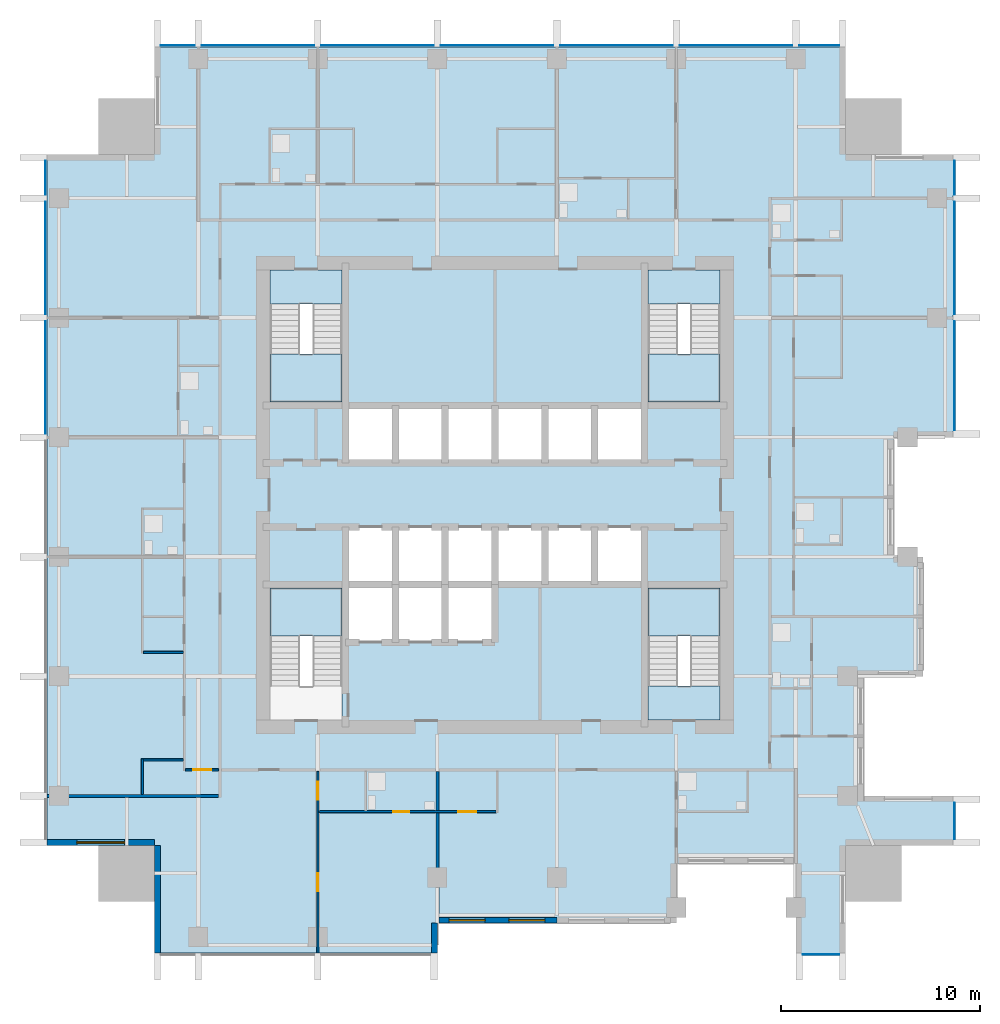
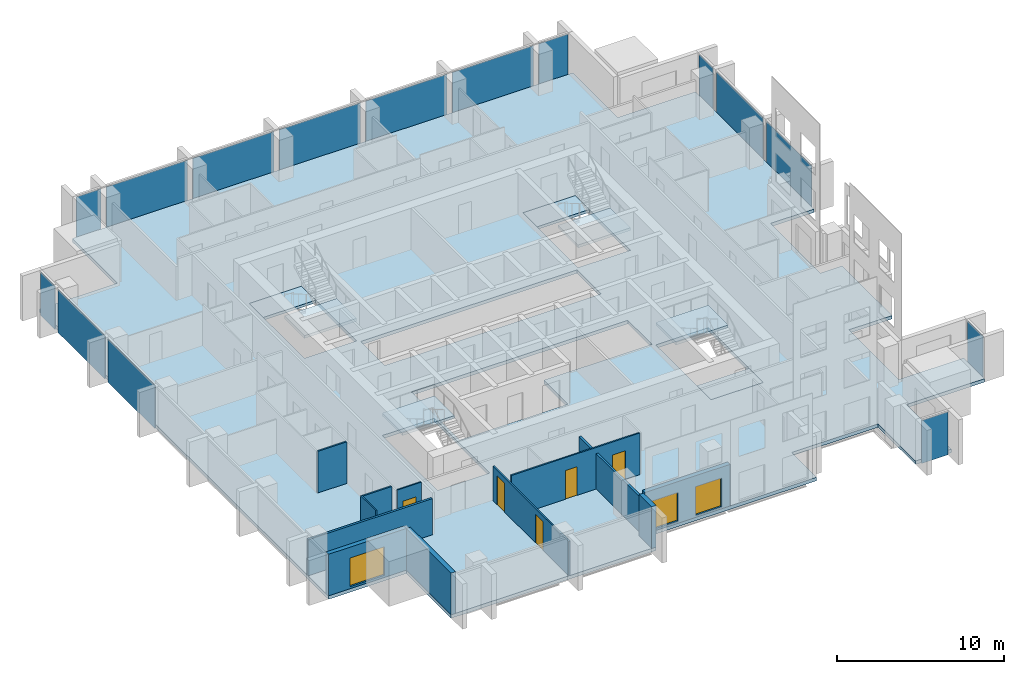
# One storey, part 3 of 11: 15 plates, 12 walls, 8 slabs, 5 doors, 3 windows, 8 openings, 9 elements without a shape of their own.
"""IFC4 building model written with IfcOpenShell, lengths in metres."""

import ifcopenshell
import ifcopenshell.guid

model = None  # the IFC model being written
_history = None  # IfcOwnerHistory: only IFC2X3 demands one
_inside = {}  # id of a spatial element -> (the spatial element, [elements in it])
_under = {}  # id of a project, library or spatial element -> (it, [spatial elements below it])
_declared = {}  # id of a project -> (the project, [libraries it declares])
_typed = {}  # id of a type object -> (the type object, [elements of that type])
_made_of = {}  # id of a material, layer set ... -> (it, [elements and type objects made of it])


def new_model(schema):
    """Start an empty IFC model of exactly this schema.

    Asked for "IFC4X3", IfcOpenShell would pick the latest addendum, in which some entities
    have other attributes; the version numbers below select the first issue.
    IFC2X3 requires an IfcOwnerHistory on every rooted entity: one is made here for all.
    """
    global model, _history
    if schema == "IFC4X3":
        model = ifcopenshell.file(schema_version=(4, 3, 0, 0))
    else:
        model = ifcopenshell.file(schema=schema)
    _inside.clear()
    _under.clear()
    _declared.clear()
    _typed.clear()
    _made_of.clear()
    _history = None
    if model.schema == "IFC2X3":
        org = make("IfcOrganization", Name="unknown")
        user = make(
            "IfcPersonAndOrganization",
            ThePerson=make("IfcPerson", FamilyName="unknown"),
            TheOrganization=org,
        )
        app = make(
            "IfcApplication",
            ApplicationDeveloper=org,
            Version="unknown",
            ApplicationFullName="unknown",
            ApplicationIdentifier="unknown",
        )
        _history = make(
            "IfcOwnerHistory",
            OwningUser=user,
            OwningApplication=app,
            ChangeAction="ADDED",
            CreationDate=0,
        )
    return model


def make(cls, **values):
    """One entity of the class cls with the attributes given. An attribute that is None is left unset."""
    return model.create_entity(
        cls, **{name: value for name, value in values.items() if value is not None}
    )


def rooted(cls, **values):
    """An entity with a GlobalId (a new one), such as an element, a storey or a relation."""
    return make(cls, GlobalId=ifcopenshell.guid.new(), OwnerHistory=_history, **values)


def si_unit(unit_type, name, prefix=None):
    """IfcSIUnit, for example si_unit("LENGTHUNIT", "METRE", prefix="MILLI")."""
    return make("IfcSIUnit", UnitType=unit_type, Prefix=prefix, Name=name)


def assignment(units):
    """IfcUnitAssignment: the units of a project."""
    return None if units is None else make("IfcUnitAssignment", Units=units)


def point(xyz):
    """IfcCartesianPoint."""
    return None if xyz is None else make("IfcCartesianPoint", Coordinates=xyz)


def direction(xyz):
    """IfcDirection."""
    return None if xyz is None else make("IfcDirection", DirectionRatios=xyz)


def frame(location, z_axis=None, x_axis=None):
    """IfcAxis2Placement3D, a coordinate frame: its origin and axes. An axis left out is left unset."""
    return make(
        "IfcAxis2Placement3D",
        Location=point(location),
        Axis=direction(z_axis),
        RefDirection=direction(x_axis),
    )


def frame_2d(location, x_axis=None):
    """IfcAxis2Placement2D, a coordinate frame in the plane: its origin and x axis."""
    return make(
        "IfcAxis2Placement2D", Location=point(location), RefDirection=direction(x_axis)
    )


def origin():
    """The frame at (0, 0, 0) with its axes left unset."""
    return frame((0.0, 0.0, 0.0))


def origin_2d():
    """The frame at (0, 0) in the plane with its x axis left unset."""
    return frame_2d((0.0, 0.0))


def place(relative_to, where):
    """IfcLocalPlacement: puts the frame where relative to a parent placement (None: the world)."""
    return make(
        "IfcLocalPlacement", PlacementRelTo=relative_to, RelativePlacement=where
    )


def context(
    kind, dimensions, precision=None, world=None, true_north=None, identifier=None
):
    """IfcGeometricRepresentationContext, for example the 3D "Model" context."""
    return make(
        "IfcGeometricRepresentationContext",
        ContextIdentifier=identifier,
        ContextType=kind,
        CoordinateSpaceDimension=dimensions,
        Precision=precision,
        WorldCoordinateSystem=world,
        TrueNorth=true_north,
    )


def subcontext(parent, identifier, kind, view, scale=None):
    """IfcGeometricRepresentationSubContext, for example "Body" below "Model"."""
    return make(
        "IfcGeometricRepresentationSubContext",
        ContextIdentifier=identifier,
        ContextType=kind,
        ParentContext=parent,
        TargetScale=scale,
        TargetView=view,
    )


def project(units=None, contexts=None):
    """IfcProject with its units and contexts."""
    return rooted(
        "IfcProject",
        Name="project",
        RepresentationContexts=contexts,
        UnitsInContext=assignment(units),
    )


def spatial(cls, under=None, at=None, **own):
    """A site, building, storey or space (cls), placed at a placement, below another one or the project."""
    s = rooted(cls, ObjectPlacement=at, **own)
    if under is not None:
        _under.setdefault(under.id(), (under, []))[1].append(s)
    return s


def polyline(points):
    """IfcPolyline through the points."""
    return make("IfcPolyline", Points=[point(p) for p in points])


def profile(cls, at=None, kind="AREA", **sizes):
    """A parametric profile (cls). Its sizes go by their IFC names, for example OverallWidth=200.0."""
    return make(cls, ProfileType=kind, Position=at, **sizes)


def rectangle(**sizes):
    """IfcRectangleProfileDef."""
    return profile("IfcRectangleProfileDef", **sizes)


def outline(outer, holes=None, kind="AREA"):
    """IfcArbitraryClosedProfileDef: a profile drawn as a closed curve; with holes, ...WithVoids."""
    if holes is None:
        return make("IfcArbitraryClosedProfileDef", ProfileType=kind, OuterCurve=outer)
    return make(
        "IfcArbitraryProfileDefWithVoids",
        ProfileType=kind,
        OuterCurve=outer,
        InnerCurves=holes,
    )


def extrude(swept, where, along, depth):
    """IfcExtrudedAreaSolid: the profile swept, set in the frame where, extruded along a direction by depth."""
    return make(
        "IfcExtrudedAreaSolid",
        SweptArea=swept,
        Position=where,
        ExtrudedDirection=direction(along),
        Depth=depth,
    )


def shape(context_of_items, identifier, shape_type, items):
    """IfcShapeRepresentation: the items that make up one representation, for example the "Body"."""
    return make(
        "IfcShapeRepresentation",
        ContextOfItems=context_of_items,
        RepresentationIdentifier=identifier,
        RepresentationType=shape_type,
        Items=items,
    )


def material(Name=None, Category=None):
    """IfcMaterial."""
    return make("IfcMaterial", Name=Name, Category=Category)


def layer(
    of_material, thickness, ventilated=None, Name=None, Category=None, Priority=None
):
    """IfcMaterialLayer: one layer of a wall or slab, of a material (None: an air gap)."""
    return make(
        "IfcMaterialLayer",
        Material=of_material,
        LayerThickness=thickness,
        IsVentilated=ventilated,
        Name=Name,
        Category=Category,
        Priority=Priority,
    )


def layer_set(layers, Name=None):
    """IfcMaterialLayerSet."""
    return make("IfcMaterialLayerSet", MaterialLayers=layers, LayerSetName=Name)


def made_of(thing, what):
    """Note that an element or type object is made of a material, layer set ...; save() writes the relation."""
    if what is not None:
        _made_of.setdefault(what.id(), (what, []))[1].append(thing)
    return thing


def type_object(cls, material=None, **own):
    """A type object (cls), such as IfcWallType, which elements share."""
    return made_of(rooted(cls, **own), material)


def element(
    cls,
    number,
    at=None,
    inside=None,
    cuts=None,
    type_object=None,
    material=None,
    context=None,
    identifier="Body",
    shape_type=None,
    held_by="IfcProductDefinitionShape",
    body=None,
    shapes=None,
    **own,
):
    """One element of the class cls, such as IfcWall. Its Tag is "e" and its number.

    at: its placement. inside: the storey or other place that contains it. cuts: it is an
    opening in that element (IfcRelVoidsElement). A single representation is given by context,
    identifier, shape_type and body (its items); several are given by shapes. held_by: the class
    of the entity that holds the representations. save() writes the other relations.
    """
    e = rooted(cls, Tag="e%d" % number, ObjectPlacement=at, **own)
    if body is not None:
        shapes = [shape(context, identifier, shape_type, body)]
    if shapes is not None:
        e.Representation = make(held_by, Representations=shapes)
    if inside is not None:
        _inside.setdefault(inside.id(), (inside, []))[1].append(e)
    if cuts is not None:
        rooted(
            "IfcRelVoidsElement", RelatingBuildingElement=cuts, RelatedOpeningElement=e
        )
    if type_object is not None:
        _typed.setdefault(type_object.id(), (type_object, []))[1].append(e)
    return made_of(e, material)


def fill(opening, filler):
    """IfcRelFillsElement: the door or window that sits in an opening."""
    return rooted(
        "IfcRelFillsElement",
        RelatingOpeningElement=opening,
        RelatedBuildingElement=filler,
    )


def aggregate(whole, parts):
    """IfcRelAggregates: a whole, such as a stair, and the parts it consists of."""
    return rooted("IfcRelAggregates", RelatingObject=whole, RelatedObjects=parts)


def save(model, path):
    """Write the relations noted so far, then the file.

    IfcRelAggregates (storeys below a building ...), IfcRelContainedInSpatialStructure (elements
    in a storey), IfcRelDefinesByType, IfcRelAssociatesMaterial and IfcRelDeclares: one each for
    every whole, place, type object, material and project.
    """
    for whole, parts in _under.values():
        aggregate(whole, parts)
    for where, things in _inside.values():
        rooted(
            "IfcRelContainedInSpatialStructure",
            RelatedElements=things,
            RelatingStructure=where,
        )
    for kind, things in _typed.values():
        rooted("IfcRelDefinesByType", RelatedObjects=things, RelatingType=kind)
    for what, things in _made_of.values():
        rooted("IfcRelAssociatesMaterial", RelatedObjects=things, RelatingMaterial=what)
    for by, libraries in _declared.values():
        rooted("IfcRelDeclares", RelatingContext=by, RelatedDefinitions=libraries)
    model.write(path)


model = new_model("IFC4")

# Units and contexts
model_context = context("Model", 3, precision=1e-05, world=origin(), true_north=direction((0.0, 1.0)))
body_context = subcontext(model_context, "Body", "Model", "MODEL_VIEW")
ifc_project = project(units=[si_unit("LENGTHUNIT", "METRE"), si_unit("AREAUNIT", "SQUARE_METRE"), si_unit("VOLUMEUNIT", "CUBIC_METRE"), si_unit("PLANEANGLEUNIT", "RADIAN"), si_unit("MASSUNIT", "GRAM", prefix="KILO")], contexts=[model_context])

# Site, building, storey
site_placement = place(None, origin())
site = spatial("IfcSite", under=ifc_project, at=site_placement, CompositionType="ELEMENT")
building_placement = place(site_placement, origin())
building = spatial("IfcBuilding", under=site, at=building_placement, Name="Amberfall Residences", CompositionType="ELEMENT")
storey_placement = place(building_placement, frame((0.0, 0.0, 143.800048828125)))
storey = spatial("IfcBuildingStorey", under=building, at=storey_placement, Name="L38", CompositionType="ELEMENT", Elevation=143.800048828125)

# Curtain wall, plate
ifc_material_1 = material(Name="Bronze anodised aluminium and glass", Category="aluminium")
curtain_wall_type = type_object("IfcCurtainWallType", Name="Curtain wall CW1 tower unit", PredefinedType="USERDEFINED", material=ifc_material_1)
curtain_wall_1_placement = place(storey_placement, origin())
curtain_wall_1 = element("IfcCurtainWall", 1, at=curtain_wall_1_placement, inside=storey, type_object=curtain_wall_type, Name="Curtain wall L38 S S8", ObjectType="UNITISED CURTAIN WALL", PredefinedType="USERDEFINED")
ifc_material_2 = material(Name="Tinted double glazed unit", Category="glass")
ifc_layer_1 = layer(ifc_material_2, 0.035888671875)
ifc_layer_set_1 = layer_set([ifc_layer_1], Name="CW1 panel 36 glazing")
plate_type = type_object("IfcPlateType", Name="CW1 panel 36 glazing", PredefinedType="CURTAIN_PANEL", material=ifc_layer_set_1)
plate_1_placement = place(storey_placement, frame((90.875, 22.425048828125, -0.25), z_axis=(0.0, 0.0, 1.0), x_axis=(1.0, 0.0, 0.0)))
plate_1 = element("IfcPlate", 2, at=plate_1_placement, type_object=plate_type, Name="CW1 panel 1.1", PredefinedType="CURTAIN_PANEL", context=body_context, shape_type="SweptSolid", body=[
    extrude(rectangle(XDim=1.825927734375, YDim=0.035888671875, at=origin_2d()), origin(), (0.0, 0.0, 1.0), 3.14990234375),
])
aggregate(curtain_wall_1, [plate_1])

curtain_wall_2_placement = place(storey_placement, origin())
curtain_wall_2 = element("IfcCurtainWall", 3, at=curtain_wall_2_placement, inside=storey, type_object=curtain_wall_type, Name="Curtain wall L38 E E1", ObjectType="UNITISED CURTAIN WALL", PredefinedType="USERDEFINED")
plate_2_placement = place(storey_placement, frame((97.574951171875, 29.125, -0.25), z_axis=(0.0, 0.0, 1.0), x_axis=(0.0, 1.0, 0.0)))
plate_2 = element("IfcPlate", 4, at=plate_2_placement, type_object=plate_type, Name="CW1 panel 1.1", PredefinedType="CURTAIN_PANEL", context=body_context, shape_type="SweptSolid", body=[
    extrude(rectangle(XDim=1.825927734375, YDim=0.035888671875, at=origin_2d()), origin(), (0.0, 0.0, 1.0), 3.14990234375),
])
aggregate(curtain_wall_2, [plate_2])

# Curtain wall, plates
curtain_wall_3_placement = place(storey_placement, origin())
curtain_wall_3 = element("IfcCurtainWall", 5, at=curtain_wall_3_placement, inside=storey, type_object=curtain_wall_type, Name="Curtain wall L38 E E9", ObjectType="UNITISED CURTAIN WALL", PredefinedType="USERDEFINED")
plate_3_placement = place(storey_placement, frame((97.574951171875, 51.487548828125, -0.25), z_axis=(0.0, 0.0, 1.0), x_axis=(0.0, 1.0, 0.0)))
plate_3 = element("IfcPlate", 6, at=plate_3_placement, type_object=plate_type, Name="CW1 panel 1.1", PredefinedType="CURTAIN_PANEL", context=body_context, shape_type="SweptSolid", body=[
    extrude(rectangle(XDim=5.450927734375, YDim=0.035888671875, at=origin_2d()), origin(), (0.0, 0.0, 1.0), 3.14990234375),
])
plate_4_placement = place(storey_placement, frame((97.574951171875, 57.39990234375, -0.25), z_axis=(0.0, 0.0, 1.0), x_axis=(0.0, 1.0, 0.0)))
plate_4 = element("IfcPlate", 7, at=plate_4_placement, type_object=plate_type, Name="CW1 panel 2.1", PredefinedType="CURTAIN_PANEL", context=body_context, shape_type="SweptSolid", body=[
    extrude(rectangle(XDim=5.6259765625, YDim=0.035888671875, at=origin_2d()), origin(), (0.0, 0.0, 1.0), 3.14990234375),
])
plate_5_placement = place(storey_placement, frame((97.574951171875, 61.4375, -0.25), z_axis=(0.0, 0.0, 1.0), x_axis=(0.0, 1.0, 0.0)))
plate_5 = element("IfcPlate", 8, at=plate_5_placement, type_object=plate_type, Name="CW1 panel 3.1", PredefinedType="CURTAIN_PANEL", context=body_context, shape_type="SweptSolid", body=[
    extrude(rectangle(XDim=1.700927734375, YDim=0.035888671875, at=origin_2d()), origin(), (0.0, 0.0, 1.0), 3.14990234375),
])
aggregate(curtain_wall_3, [plate_3, plate_4, plate_5])

curtain_wall_4_placement = place(storey_placement, origin())
curtain_wall_4 = element("IfcCurtainWall", 9, at=curtain_wall_4_placement, inside=storey, type_object=curtain_wall_type, Name="Curtain wall L38 N N1", ObjectType="UNITISED CURTAIN WALL", PredefinedType="USERDEFINED")
plate_6_placement = place(storey_placement, frame((90.78759765625, 68.074951171875, -0.25), z_axis=(0.0, 0.0, 1.0), x_axis=(-1.0, 0.0, 0.0)))
plate_6 = element("IfcPlate", 10, at=plate_6_placement, type_object=plate_type, Name="CW1 panel 1.1", PredefinedType="CURTAIN_PANEL", context=body_context, shape_type="SweptSolid", body=[
    extrude(rectangle(XDim=2.0009765625, YDim=0.035888671875, at=origin_2d()), origin(), (0.0, 0.0, 1.0), 3.14990234375),
])
plate_7_placement = place(storey_placement, frame((86.60009765625, 68.074951171875, -0.25), z_axis=(0.0, 0.0, 1.0), x_axis=(-1.0, 0.0, 0.0)))
plate_7 = element("IfcPlate", 11, at=plate_7_placement, type_object=plate_type, Name="CW1 panel 2.1", PredefinedType="CURTAIN_PANEL", context=body_context, shape_type="SweptSolid", body=[
    extrude(rectangle(XDim=5.6259765625, YDim=0.035888671875, at=origin_2d()), origin(), (0.0, 0.0, 1.0), 3.14990234375),
])
plate_8_placement = place(storey_placement, frame((80.60009765625, 68.074951171875, -0.25), z_axis=(0.0, 0.0, 1.0), x_axis=(-1.0, 0.0, 0.0)))
plate_8 = element("IfcPlate", 12, at=plate_8_placement, type_object=plate_type, Name="CW1 panel 3.1", PredefinedType="CURTAIN_PANEL", context=body_context, shape_type="SweptSolid", body=[
    extrude(rectangle(XDim=5.6259765625, YDim=0.035888671875, at=origin_2d()), origin(), (0.0, 0.0, 1.0), 3.14990234375),
])
plate_9_placement = place(storey_placement, frame((74.60009765625, 68.074951171875, -0.25), z_axis=(0.0, 0.0, 1.0), x_axis=(-1.0, 0.0, 0.0)))
plate_9 = element("IfcPlate", 13, at=plate_9_placement, type_object=plate_type, Name="CW1 panel 4.1", PredefinedType="CURTAIN_PANEL", context=body_context, shape_type="SweptSolid", body=[
    extrude(rectangle(XDim=5.6259765625, YDim=0.035888671875, at=origin_2d()), origin(), (0.0, 0.0, 1.0), 3.14990234375),
])
plate_10_placement = place(storey_placement, frame((68.60009765625, 68.074951171875, -0.25), z_axis=(0.0, 0.0, 1.0), x_axis=(-1.0, 0.0, 0.0)))
plate_10 = element("IfcPlate", 14, at=plate_10_placement, type_object=plate_type, Name="CW1 panel 5.1", PredefinedType="CURTAIN_PANEL", context=body_context, shape_type="SweptSolid", body=[
    extrude(rectangle(XDim=5.6259765625, YDim=0.035888671875, at=origin_2d()), origin(), (0.0, 0.0, 1.0), 3.14990234375),
])
plate_11_placement = place(storey_placement, frame((62.60009765625, 68.074951171875, -0.25), z_axis=(0.0, 0.0, 1.0), x_axis=(-1.0, 0.0, 0.0)))
plate_11 = element("IfcPlate", 15, at=plate_11_placement, type_object=plate_type, Name="CW1 panel 6.1", PredefinedType="CURTAIN_PANEL", context=body_context, shape_type="SweptSolid", body=[
    extrude(rectangle(XDim=5.6259765625, YDim=0.035888671875, at=origin_2d()), origin(), (0.0, 0.0, 1.0), 3.14990234375),
])
plate_12_placement = place(storey_placement, frame((58.5625, 68.074951171875, -0.25), z_axis=(0.0, 0.0, 1.0), x_axis=(-1.0, 0.0, 0.0)))
plate_12 = element("IfcPlate", 16, at=plate_12_placement, type_object=plate_type, Name="CW1 panel 7.1", PredefinedType="CURTAIN_PANEL", context=body_context, shape_type="SweptSolid", body=[
    extrude(rectangle(XDim=1.700927734375, YDim=0.035888671875, at=origin_2d()), origin(), (0.0, 0.0, 1.0), 3.14990234375),
])
aggregate(curtain_wall_4, [plate_6, plate_7, plate_8, plate_9, plate_10, plate_11, plate_12])

curtain_wall_5_placement = place(storey_placement, origin())
curtain_wall_5 = element("IfcCurtainWall", 17, at=curtain_wall_5_placement, inside=storey, type_object=curtain_wall_type, Name="Curtain wall L38 W W1", ObjectType="UNITISED CURTAIN WALL", PredefinedType="USERDEFINED")
plate_13_placement = place(storey_placement, frame((51.925048828125, 61.4375, -0.25), z_axis=(0.0, 0.0, 1.0), x_axis=(0.0, -1.0, 0.0)))
plate_13 = element("IfcPlate", 18, at=plate_13_placement, type_object=plate_type, Name="CW1 panel 1.1", PredefinedType="CURTAIN_PANEL", context=body_context, shape_type="SweptSolid", body=[
    extrude(rectangle(XDim=1.700927734375, YDim=0.035888671875, at=origin_2d()), origin(), (0.0, 0.0, 1.0), 3.14990234375),
])
plate_14_placement = place(storey_placement, frame((51.925048828125, 57.39990234375, -0.25), z_axis=(0.0, 0.0, 1.0), x_axis=(0.0, -1.0, 0.0)))
plate_14 = element("IfcPlate", 19, at=plate_14_placement, type_object=plate_type, Name="CW1 panel 2.1", PredefinedType="CURTAIN_PANEL", context=body_context, shape_type="SweptSolid", body=[
    extrude(rectangle(XDim=5.6259765625, YDim=0.035888671875, at=origin_2d()), origin(), (0.0, 0.0, 1.0), 3.14990234375),
])
plate_15_placement = place(storey_placement, frame((51.925048828125, 51.39990234375, -0.25), z_axis=(0.0, 0.0, 1.0), x_axis=(0.0, -1.0, 0.0)))
plate_15 = element("IfcPlate", 20, at=plate_15_placement, type_object=plate_type, Name="CW1 panel 3.1", PredefinedType="CURTAIN_PANEL", context=body_context, shape_type="SweptSolid", body=[
    extrude(rectangle(XDim=5.6259765625, YDim=0.035888671875, at=origin_2d()), origin(), (0.0, 0.0, 1.0), 3.14990234375),
])
aggregate(curtain_wall_5, [plate_13, plate_14, plate_15])

# Slab
ifc_material_3 = material(Name="Concrete C60", Category="concrete")
ifc_layer_2 = layer(ifc_material_3, 0.25)
ifc_layer_set_2 = layer_set([ifc_layer_2], Name="Floor slab 250 C60")
slab_type_1 = type_object("IfcSlabType", Name="Floor slab 250 C60", PredefinedType="FLOOR", material=ifc_layer_set_2)
slab_1_placement = place(storey_placement, frame((0.0, 0.0, -0.25)))
element("IfcSlab", 21, at=slab_1_placement, inside=storey, type_object=slab_type_1, Name="Floor slab S10 L38", PredefinedType="FLOOR", context=body_context, shape_type="SweptSolid", body=[
    extrude(outline(polyline([(89.60009765625, 22.5), (89.60009765625, 27.0), (83.60009765625, 27.0), (83.60009765625, 24.0), (77.60009765625, 24.0), (71.60009765625, 24.0), (71.60009765625, 22.5), (57.39990234375, 22.5), (57.39990234375, 27.89990234375), (52.0, 27.89990234375), (52.0, 62.60009765625), (57.39990234375, 62.60009765625), (57.39990234375, 68.0), (92.10009765625, 68.0), (92.10009765625, 62.60009765625), (97.5, 62.60009765625), (97.5, 48.39990234375), (94.5, 48.39990234375), (94.5, 42.39990234375), (96.0, 42.39990234375), (96.0, 36.39990234375), (93.0, 36.39990234375), (93.0, 30.39990234375), (97.5, 30.39990234375), (97.5, 27.89990234375), (92.10009765625, 27.89990234375), (92.10009765625, 22.5), (89.60009765625, 22.5)]), holes=[polyline([(85.800048828125, 34.199951171875), (85.800048828125, 40.824951171875), (82.175048828125, 40.824951171875), (82.175048828125, 34.199951171875), (85.800048828125, 34.199951171875)]), polyline([(82.175048828125, 50.175048828125), (85.800048828125, 50.175048828125), (85.800048828125, 56.800048828125), (82.175048828125, 56.800048828125), (82.175048828125, 50.175048828125)]), polyline([(69.5, 50.0), (67.0, 50.0), (67.0, 47.10009765625), (69.5, 47.10009765625), (72.0, 47.10009765625), (74.5, 47.10009765625), (77.0, 47.10009765625), (79.5, 47.10009765625), (82.0, 47.10009765625), (82.0, 50.0), (79.5, 50.0), (77.0, 50.0), (74.5, 50.0), (72.0, 50.0), (69.5, 50.0)]), polyline([(74.5, 41.0), (77.0, 41.0), (79.5, 41.0), (82.0, 41.0), (82.0, 43.89990234375), (79.5, 43.89990234375), (77.0, 43.89990234375), (74.5, 43.89990234375), (72.0, 43.89990234375), (69.5, 43.89990234375), (67.0, 43.89990234375), (67.0, 41.0), (67.0, 38.10009765625), (69.5, 38.10009765625), (72.0, 38.10009765625), (74.5, 38.10009765625), (74.5, 41.0)]), polyline([(66.824951171875, 34.199951171875), (66.824951171875, 40.824951171875), (63.199951171875, 40.824951171875), (63.199951171875, 34.199951171875), (66.824951171875, 34.199951171875)]), polyline([(66.824951171875, 50.175048828125), (66.824951171875, 56.800048828125), (63.199951171875, 56.800048828125), (63.199951171875, 50.175048828125), (66.824951171875, 50.175048828125)])]), origin(), (0.0, 0.0, 1.0), 0.25),
])

# Stair, slab
ifc_material_4 = material(Name="Concrete C40", Category="concrete")
stair_type = type_object("IfcStairType", Name="Exit stair 20 risers 165.0 mm", PredefinedType="HALF_TURN_STAIR", material=ifc_material_4)
stair_1_placement = place(storey_placement, origin())
stair_1 = element("IfcStair", 22, at=stair_1_placement, inside=storey, type_object=stair_type, Name="L38 Exit stair 1", PredefinedType="HALF_TURN_STAIR")
ifc_layer_3 = layer(ifc_material_4, 0.199951171875)
ifc_layer_set_3 = layer_set([ifc_layer_3], Name="Stair landing 200")
slab_type_2 = type_object("IfcSlabType", Name="Stair landing 200", PredefinedType="LANDING", material=ifc_layer_set_3)
slab_2_placement = place(storey_placement, frame((0.0, 0.0, 1.449951171875)))
slab_2 = element("IfcSlab", 23, at=slab_2_placement, type_object=slab_type_2, Name="ST3 landing 1", PredefinedType="LANDING", context=body_context, shape_type="SweptSolid", body=[
    extrude(outline(polyline([(66.824951171875, 38.419921875), (66.824951171875, 40.824951171875), (63.199951171875, 40.824951171875), (63.199951171875, 38.419921875), (66.824951171875, 38.419921875)])), origin(), (0.0, 0.0, 1.0), 0.199951171875),
])
aggregate(stair_1, [slab_2])

# Stair, slabs
stair_2_placement = place(storey_placement, origin())
stair_2 = element("IfcStair", 24, at=stair_2_placement, inside=storey, type_object=stair_type, Name="L38 Exit stair 2", PredefinedType="HALF_TURN_STAIR")
slab_3_placement = place(storey_placement, frame((0.0, 0.0, 1.449951171875)))
slab_3 = element("IfcSlab", 25, at=slab_3_placement, type_object=slab_type_2, Name="ST3 landing 1", PredefinedType="LANDING", context=body_context, shape_type="SweptSolid", body=[
    extrude(outline(polyline([(85.800048828125, 38.419921875), (85.800048828125, 40.824951171875), (82.175048828125, 40.824951171875), (82.175048828125, 38.419921875), (85.800048828125, 38.419921875)])), origin(), (0.0, 0.0, 1.0), 0.199951171875),
])
slab_4_placement = place(storey_placement, frame((0.0, 0.0, -0.199951171875)))
slab_4 = element("IfcSlab", 26, at=slab_4_placement, type_object=slab_type_2, Name="ST3 landing 2", PredefinedType="LANDING", context=body_context, shape_type="SweptSolid", body=[
    extrude(outline(polyline([(85.800048828125, 34.199951171875), (85.800048828125, 35.89990234375), (82.175048828125, 35.89990234375), (82.175048828125, 34.199951171875), (85.800048828125, 34.199951171875)])), origin(), (0.0, 0.0, 1.0), 0.199951171875),
])
aggregate(stair_2, [slab_3, slab_4])

stair_3_placement = place(storey_placement, origin())
stair_3 = element("IfcStair", 27, at=stair_3_placement, inside=storey, type_object=stair_type, Name="L38 Exit stair 3", PredefinedType="HALF_TURN_STAIR")
slab_5_placement = place(storey_placement, frame((0.0, 0.0, 1.449951171875)))
slab_5 = element("IfcSlab", 28, at=slab_5_placement, type_object=slab_type_2, Name="ST3 landing 1", PredefinedType="LANDING", context=body_context, shape_type="SweptSolid", body=[
    extrude(outline(polyline([(82.175048828125, 52.580078125), (82.175048828125, 50.175048828125), (85.800048828125, 50.175048828125), (85.800048828125, 52.580078125), (82.175048828125, 52.580078125)])), origin(), (0.0, 0.0, 1.0), 0.199951171875),
])
slab_6_placement = place(storey_placement, frame((0.0, 0.0, -0.199951171875)))
slab_6 = element("IfcSlab", 29, at=slab_6_placement, type_object=slab_type_2, Name="ST3 landing 2", PredefinedType="LANDING", context=body_context, shape_type="SweptSolid", body=[
    extrude(outline(polyline([(82.175048828125, 56.800048828125), (82.175048828125, 55.10009765625), (85.800048828125, 55.10009765625), (85.800048828125, 56.800048828125), (82.175048828125, 56.800048828125)])), origin(), (0.0, 0.0, 1.0), 0.199951171875),
])
aggregate(stair_3, [slab_5, slab_6])

stair_4_placement = place(storey_placement, origin())
stair_4 = element("IfcStair", 30, at=stair_4_placement, inside=storey, type_object=stair_type, Name="L38 Exit stair 4", PredefinedType="HALF_TURN_STAIR")
slab_7_placement = place(storey_placement, frame((0.0, 0.0, 1.449951171875)))
slab_7 = element("IfcSlab", 31, at=slab_7_placement, type_object=slab_type_2, Name="ST3 landing 1", PredefinedType="LANDING", context=body_context, shape_type="SweptSolid", body=[
    extrude(outline(polyline([(63.199951171875, 52.580078125), (63.199951171875, 50.175048828125), (66.824951171875, 50.175048828125), (66.824951171875, 52.580078125), (63.199951171875, 52.580078125)])), origin(), (0.0, 0.0, 1.0), 0.199951171875),
])
slab_8_placement = place(storey_placement, frame((0.0, 0.0, -0.199951171875)))
slab_8 = element("IfcSlab", 32, at=slab_8_placement, type_object=slab_type_2, Name="ST3 landing 2", PredefinedType="LANDING", context=body_context, shape_type="SweptSolid", body=[
    extrude(outline(polyline([(63.199951171875, 56.800048828125), (63.199951171875, 55.10009765625), (66.824951171875, 55.10009765625), (66.824951171875, 56.800048828125), (63.199951171875, 56.800048828125)])), origin(), (0.0, 0.0, 1.0), 0.199951171875),
])
aggregate(stair_4, [slab_7, slab_8])

# Wall
ifc_material_5 = material(Name="Pale stone cladding on insulated backing", Category="masonry")
ifc_layer_4 = layer(ifc_material_5, 0.300048828125)
ifc_layer_set_4 = layer_set([ifc_layer_4], Name="Bronze clad wall 300")
wall_type_1 = type_object("IfcWallType", Name="Bronze clad wall 300", PredefinedType="SOLIDWALL", material=ifc_layer_set_4)
wall_1_placement = place(storey_placement, frame((71.449951171875, 22.5, 0.0), z_axis=(0.0, 0.0, 1.0), x_axis=(0.0, 1.0, 0.0)))
element("IfcWall", 33, at=wall_1_placement, inside=storey, type_object=wall_type_1, Name="External wall L38 S", PredefinedType="SOLIDWALL", context=body_context, shape_type="SweptSolid", body=[
    extrude(rectangle(XDim=1.5, YDim=0.300048828125, at=frame_2d((0.75, 0.0))), origin(), (0.0, 0.0, 1.0), 3.050048828125),
])

# Wall, opening, window
wall_2_placement = place(storey_placement, frame((52.0, 28.050048828125, 0.0), z_axis=(0.0, 0.0, 1.0), x_axis=(1.0, 0.0, 0.0)))
wall_2 = element("IfcWall", 34, at=wall_2_placement, inside=storey, type_object=wall_type_1, Name="External wall L38 SW", PredefinedType="SOLIDWALL", context=body_context, shape_type="SweptSolid", body=[
    extrude(rectangle(XDim=5.39990234375, YDim=0.300048828125, at=frame_2d((2.699951171875, 0.0))), origin(), (0.0, 0.0, 1.0), 3.050048828125),
])
opening_1_placement = place(wall_2_placement, frame((1.5, 0.0, 0.14990234375)))
opening_1 = element("IfcOpeningElement", 35, at=opening_1_placement, cuts=wall_2, Name="Opening WN5", PredefinedType="OPENING", context=body_context, shape_type="SweptSolid", body=[
    extrude(rectangle(XDim=2.39990234375, YDim=2.10009765625, at=frame_2d((1.199951171875, 1.050048828125))), frame((0.0, 0.159912109375, 0.0), z_axis=(0.0, -1.0, 0.0), x_axis=(1.0, 0.0, 0.0)), (0.0, 0.0, 1.0), 0.320068359375),
])
ifc_material_6 = material(Name="Bronze aluminium framed glazing", Category="aluminium")
window_type_1 = type_object("IfcWindowType", Name="Glazed opening 2400 x 2100 bronze", PartitioningType="DOUBLE_PANEL_VERTICAL", PredefinedType="WINDOW", material=ifc_material_6)
window_1_placement = place(opening_1_placement, origin())
window_1 = element("IfcWindow", 36, at=window_1_placement, inside=storey, type_object=window_type_1, Name="Window L38 SW", OverallHeight=2.10009765625, OverallWidth=2.39990234375, PartitioningType="DOUBLE_PANEL_VERTICAL", PredefinedType="WINDOW", context=body_context, shape_type="SweptSolid", body=[
    extrude(rectangle(XDim=2.39990234375, YDim=2.10009765625, at=frame_2d((1.199951171875, 1.050048828125))), frame((0.0, 0.030029296875, 0.0), z_axis=(0.0, -1.0, 0.0), x_axis=(1.0, 0.0, 0.0)), (0.0, 0.0, 1.0), 0.06005859375),
])
fill(opening_1, window_1)

# Wall
wall_3_placement = place(storey_placement, frame((57.550048828125, 27.89990234375, 0.0), z_axis=(0.0, 0.0, 1.0), x_axis=(0.0, -1.0, 0.0)))
element("IfcWall", 37, at=wall_3_placement, inside=storey, type_object=wall_type_1, Name="External wall L38 SW", PredefinedType="SOLIDWALL", context=body_context, shape_type="SweptSolid", body=[
    extrude(rectangle(XDim=5.39990234375, YDim=0.300048828125, at=frame_2d((2.699951171875, 0.0))), origin(), (0.0, 0.0, 1.0), 3.050048828125),
])

# Wall, openings, windows
wall_4_placement = place(storey_placement, frame((71.68994140625, 24.14990234375, 0.0), z_axis=(0.0, 0.0, 1.0), x_axis=(1.0, 0.0, 0.0)))
wall_4 = element("IfcWall", 38, at=wall_4_placement, inside=storey, type_object=wall_type_1, Name="Stone wall L38 S", PredefinedType="SOLIDWALL", context=body_context, shape_type="SweptSolid", body=[
    extrude(rectangle(XDim=5.91015625, YDim=0.300048828125, at=frame_2d((2.955078125, 0.0))), origin(), (0.0, 0.0, 1.0), 3.050048828125),
])
opening_2_placement = place(wall_4_placement, frame((0.510009765625, 0.0, 0.14990234375)))
opening_2 = element("IfcOpeningElement", 39, at=opening_2_placement, cuts=wall_4, Name="Opening WN6", PredefinedType="OPENING", context=body_context, shape_type="SweptSolid", body=[
    extrude(rectangle(XDim=1.800048828125, YDim=2.10009765625, at=frame_2d((0.89990234375, 1.050048828125))), frame((0.0, 0.159912109375, 0.0), z_axis=(0.0, -1.0, 0.0), x_axis=(1.0, 0.0, 0.0)), (0.0, 0.0, 1.0), 0.320068359375),
])
opening_3_placement = place(wall_4_placement, frame((3.510009765625, 0.0, 0.14990234375)))
opening_3 = element("IfcOpeningElement", 40, at=opening_3_placement, cuts=wall_4, Name="Opening WN6", PredefinedType="OPENING", context=body_context, shape_type="SweptSolid", body=[
    extrude(rectangle(XDim=1.800048828125, YDim=2.10009765625, at=frame_2d((0.89990234375, 1.050048828125))), frame((0.0, 0.159912109375, 0.0), z_axis=(0.0, -1.0, 0.0), x_axis=(1.0, 0.0, 0.0)), (0.0, 0.0, 1.0), 0.320068359375),
])
window_type_2 = type_object("IfcWindowType", Name="Glazed opening 1800 x 2100 bronze", PartitioningType="DOUBLE_PANEL_VERTICAL", PredefinedType="WINDOW", material=ifc_material_6)
window_2_placement = place(opening_2_placement, origin())
window_2 = element("IfcWindow", 41, at=window_2_placement, inside=storey, type_object=window_type_2, Name="Window L38 S", OverallHeight=2.10009765625, OverallWidth=1.800048828125, PartitioningType="DOUBLE_PANEL_VERTICAL", PredefinedType="WINDOW", context=body_context, shape_type="SweptSolid", body=[
    extrude(rectangle(XDim=1.800048828125, YDim=2.10009765625, at=frame_2d((0.89990234375, 1.050048828125))), frame((0.0, 0.030029296875, 0.0), z_axis=(0.0, -1.0, 0.0), x_axis=(1.0, 0.0, 0.0)), (0.0, 0.0, 1.0), 0.06005859375),
])
fill(opening_2, window_2)
window_3_placement = place(opening_3_placement, origin())
window_3 = element("IfcWindow", 42, at=window_3_placement, inside=storey, type_object=window_type_2, Name="Window L38 S", OverallHeight=2.10009765625, OverallWidth=1.800048828125, PartitioningType="DOUBLE_PANEL_VERTICAL", PredefinedType="WINDOW", context=body_context, shape_type="SweptSolid", body=[
    extrude(rectangle(XDim=1.800048828125, YDim=2.10009765625, at=frame_2d((0.89990234375, 1.050048828125))), frame((0.0, 0.030029296875, 0.0), z_axis=(0.0, -1.0, 0.0), x_axis=(1.0, 0.0, 0.0)), (0.0, 0.0, 1.0), 0.06005859375),
])
fill(opening_3, window_3)

# Wall
ifc_material_7 = material(Name="Gypsum board on metal stud")
ifc_layer_5 = layer(ifc_material_7, 0.10009765625)
ifc_layer_set_5 = layer_set([ifc_layer_5], Name="Flat partition 100")
wall_type_2 = type_object("IfcWallType", Name="Flat partition 100", PredefinedType="PARTITIONING", material=ifc_layer_set_5)
wall_5_placement = place(storey_placement, frame((56.800048828125, 30.47509765625, 0.0), z_axis=(0.0, 0.0, 1.0), x_axis=(0.0, 1.0, 0.0)))
element("IfcWall", 43, at=wall_5_placement, inside=storey, type_object=wall_type_2, Name="Partition 001", PredefinedType="PARTITIONING", context=body_context, shape_type="SweptSolid", body=[
    extrude(rectangle(XDim=1.77490234375, YDim=0.10009765625, at=frame_2d((0.887451171875, 0.0))), origin(), (0.0, 0.0, 1.0), 3.050048828125),
])

# Wall, openings, doors
wall_6_placement = place(storey_placement, frame((65.60009765625, 31.625, 0.0), z_axis=(0.0, 0.0, 1.0), x_axis=(0.0, -1.0, 0.0)))
wall_6 = element("IfcWall", 44, at=wall_6_placement, inside=storey, type_object=wall_type_2, Name="Partition 007", PredefinedType="PARTITIONING", context=body_context, shape_type="SweptSolid", body=[
    extrude(rectangle(XDim=9.125, YDim=0.10009765625, at=frame_2d((4.5625, 0.0))), origin(), (0.0, 0.0, 1.0), 2.515869140625),
])
opening_4_placement = place(wall_6_placement, frame((0.52490234375, 0.0, 0.0)))
opening_4 = element("IfcOpeningElement", 45, at=opening_4_placement, cuts=wall_6, Name="Opening D41", PredefinedType="OPENING", context=body_context, shape_type="SweptSolid", body=[
    extrude(rectangle(XDim=0.89990234375, YDim=2.10009765625, at=frame_2d((0.449951171875, 1.050048828125))), frame((0.0, 0.06005859375, 0.0), z_axis=(0.0, -1.0, 0.0), x_axis=(1.0, 0.0, 0.0)), (0.0, 0.0, 1.0), 0.1201171875),
])
opening_5_placement = place(wall_6_placement, frame((5.125, 0.0, 0.0)))
opening_5 = element("IfcOpeningElement", 46, at=opening_5_placement, cuts=wall_6, Name="Opening D41", PredefinedType="OPENING", context=body_context, shape_type="SweptSolid", body=[
    extrude(rectangle(XDim=0.89990234375, YDim=2.10009765625, at=frame_2d((0.449951171875, 1.050048828125))), frame((0.0, 0.06005859375, 0.0), z_axis=(0.0, -1.0, 0.0), x_axis=(1.0, 0.0, 0.0)), (0.0, 0.0, 1.0), 0.1201171875),
])
ifc_material_8 = material(Name="Timber", Category="wood")
door_type_1 = type_object("IfcDoorType", Name="Internal door 900 x 2100", OperationType="SINGLE_SWING_LEFT", PredefinedType="DOOR", material=ifc_material_8)
door_1_placement = place(opening_4_placement, origin())
door_1 = element("IfcDoor", 47, at=door_1_placement, inside=storey, type_object=door_type_1, Name="Door 3801 kitchen", OperationType="SINGLE_SWING_LEFT", OverallHeight=2.10009765625, OverallWidth=0.89990234375, PredefinedType="DOOR", context=body_context, shape_type="SweptSolid", body=[
    extrude(rectangle(XDim=0.89990234375, YDim=2.10009765625, at=frame_2d((0.449951171875, 1.050048828125))), frame((0.0, 0.02490234375, 0.0), z_axis=(0.0, -1.0, 0.0), x_axis=(1.0, 0.0, 0.0)), (0.0, 0.0, 1.0), 0.050048828125),
])
fill(opening_4, door_1)
door_2_placement = place(opening_5_placement, origin())
door_2 = element("IfcDoor", 48, at=door_2_placement, inside=storey, type_object=door_type_1, Name="Door 3801 bedroom1", OperationType="SINGLE_SWING_LEFT", OverallHeight=2.10009765625, OverallWidth=0.89990234375, PredefinedType="DOOR", context=body_context, shape_type="SweptSolid", body=[
    extrude(rectangle(XDim=0.89990234375, YDim=2.10009765625, at=frame_2d((0.449951171875, 1.050048828125))), frame((0.0, 0.02490234375, 0.0), z_axis=(0.0, -1.0, 0.0), x_axis=(1.0, 0.0, 0.0)), (0.0, 0.0, 1.0), 0.050048828125),
])
fill(opening_5, door_2)

# Walls
for number, where, z_axis, x_axis, name in (
    (49, (56.85009765625, 37.60009765625, 0.0), (0.0, 0.0, 1.0), (1.0, 0.0, 0.0), "Partition 036"),
    (50, (56.85009765625, 32.199951171875, 0.0), (0.0, 0.0, 1.0), (1.0, 0.0, 0.0), "Partition 039"),
):
    element("IfcWall", number, at=place(storey_placement, frame(where, z_axis=z_axis, x_axis=x_axis)), inside=storey, type_object=wall_type_2, Name=name, PredefinedType="PARTITIONING", context=body_context, shape_type="SweptSolid", body=[
        extrude(rectangle(XDim=2.0, YDim=0.10009765625, at=frame_2d((1.0, 0.0))), origin(), (0.0, 0.0, 1.0), 3.050048828125),
    ])

# Wall, opening, door
wall_7_placement = place(storey_placement, frame((60.625, 31.699951171875, 0.0), z_axis=(0.0, 0.0, 1.0), x_axis=(-1.0, 0.0, 0.0)))
wall_7 = element("IfcWall", 51, at=wall_7_placement, inside=storey, type_object=wall_type_2, Name="Partition 040", PredefinedType="PARTITIONING", context=body_context, shape_type="SweptSolid", body=[
    extrude(rectangle(XDim=1.675048828125, YDim=0.10009765625, at=frame_2d((0.83740234375, 0.0))), origin(), (0.0, 0.0, 1.0), 3.050048828125),
])
opening_6_placement = place(wall_7_placement, frame((0.375, 0.0, 0.0)))
opening_6 = element("IfcOpeningElement", 52, at=opening_6_placement, cuts=wall_7, Name="Opening D41", PredefinedType="OPENING", context=body_context, shape_type="SweptSolid", body=[
    extrude(rectangle(XDim=0.89990234375, YDim=2.10009765625, at=frame_2d((0.449951171875, 1.050048828125))), frame((0.0, 0.06005859375, 0.0), z_axis=(0.0, -1.0, 0.0), x_axis=(1.0, 0.0, 0.0)), (0.0, 0.0, 1.0), 0.1201171875),
])
door_3_placement = place(opening_6_placement, origin())
door_3 = element("IfcDoor", 53, at=door_3_placement, inside=storey, type_object=door_type_1, Name="Door 3808 store", OperationType="SINGLE_SWING_LEFT", OverallHeight=2.10009765625, OverallWidth=0.89990234375, PredefinedType="DOOR", context=body_context, shape_type="SweptSolid", body=[
    extrude(rectangle(XDim=0.89990234375, YDim=2.10009765625, at=frame_2d((0.449951171875, 1.050048828125))), frame((0.0, 0.02490234375, 0.0), z_axis=(0.0, -1.0, 0.0), x_axis=(1.0, 0.0, 0.0)), (0.0, 0.0, 1.0), 0.050048828125),
])
fill(opening_6, door_3)

# Wall, openings, doors
wall_8_placement = place(storey_placement, frame((65.64990234375, 29.60009765625, 0.0), z_axis=(0.0, 0.0, 1.0), x_axis=(1.0, 0.0, 0.0)))
wall_8 = element("IfcWall", 54, at=wall_8_placement, inside=storey, type_object=wall_type_2, Name="Partition 041", PredefinedType="PARTITIONING", context=body_context, shape_type="SweptSolid", body=[
    extrude(rectangle(XDim=8.900146484375, YDim=0.10009765625, at=frame_2d((4.4501953125, 0.0))), origin(), (0.0, 0.0, 1.0), 3.050048828125),
])
opening_7_placement = place(wall_8_placement, frame((3.75, 0.0, 0.0)))
opening_7 = element("IfcOpeningElement", 55, at=opening_7_placement, cuts=wall_8, Name="Opening D42", PredefinedType="OPENING", context=body_context, shape_type="SweptSolid", body=[
    extrude(rectangle(XDim=0.800048828125, YDim=2.10009765625, at=frame_2d((0.39990234375, 1.050048828125))), frame((0.0, 0.06005859375, 0.0), z_axis=(0.0, -1.0, 0.0), x_axis=(1.0, 0.0, 0.0)), (0.0, 0.0, 1.0), 0.1201171875),
])
opening_8_placement = place(wall_8_placement, frame((7.0, 0.0, 0.0)))
opening_8 = element("IfcOpeningElement", 56, at=opening_8_placement, cuts=wall_8, Name="Opening D41", PredefinedType="OPENING", context=body_context, shape_type="SweptSolid", body=[
    extrude(rectangle(XDim=0.89990234375, YDim=2.10009765625, at=frame_2d((0.449951171875, 1.050048828125))), frame((0.0, 0.06005859375, 0.0), z_axis=(0.0, -1.0, 0.0), x_axis=(1.0, 0.0, 0.0)), (0.0, 0.0, 1.0), 0.1201171875),
])
door_type_2 = type_object("IfcDoorType", Name="Bathroom door 800 x 2100", OperationType="SINGLE_SWING_LEFT", PredefinedType="DOOR", material=ifc_material_8)
door_4_placement = place(opening_7_placement, origin())
door_4 = element("IfcDoor", 57, at=door_4_placement, inside=storey, type_object=door_type_2, Name="Door 3801 bath1", OperationType="SINGLE_SWING_LEFT", OverallHeight=2.10009765625, OverallWidth=0.800048828125, PredefinedType="DOOR", context=body_context, shape_type="SweptSolid", body=[
    extrude(rectangle(XDim=0.800048828125, YDim=2.10009765625, at=frame_2d((0.39990234375, 1.050048828125))), frame((0.0, 0.02490234375, 0.0), z_axis=(0.0, -1.0, 0.0), x_axis=(1.0, 0.0, 0.0)), (0.0, 0.0, 1.0), 0.050048828125),
])
fill(opening_7, door_4)
door_5_placement = place(opening_8_placement, origin())
door_5 = element("IfcDoor", 58, at=door_5_placement, inside=storey, type_object=door_type_1, Name="Door 3802 kitchen", OperationType="SINGLE_SWING_LEFT", OverallHeight=2.10009765625, OverallWidth=0.89990234375, PredefinedType="DOOR", context=body_context, shape_type="SweptSolid", body=[
    extrude(rectangle(XDim=0.89990234375, YDim=2.10009765625, at=frame_2d((0.449951171875, 1.050048828125))), frame((0.0, 0.02490234375, 0.0), z_axis=(0.0, -1.0, 0.0), x_axis=(1.0, 0.0, 0.0)), (0.0, 0.0, 1.0), 0.050048828125),
])
fill(opening_8, door_5)

# Walls
ifc_material_9 = material(Name="Blockwork, plastered", Category="masonry")
ifc_layer_6 = layer(ifc_material_9, 0.14990234375)
ifc_layer_set_6 = layer_set([ifc_layer_6], Name="Flat separating wall 150")
wall_type_3 = type_object("IfcWallType", Name="Flat separating wall 150", PredefinedType="PARTITIONING", material=ifc_layer_set_6)
wall_9_placement = place(storey_placement, frame((71.60009765625, 24.0, 0.0), z_axis=(0.0, 0.0, 1.0), x_axis=(0.0, 1.0, 0.0)))
element("IfcWall", 59, at=wall_9_placement, inside=storey, type_object=wall_type_3, Name="Separating wall 045", PredefinedType="PARTITIONING", context=body_context, shape_type="SweptSolid", body=[
    extrude(rectangle(XDim=7.625, YDim=0.14990234375, at=frame_2d((3.8125, 0.0))), origin(), (0.0, 0.0, 1.0), 2.58984375),
])
wall_10_placement = place(storey_placement, frame((52.0, 30.39990234375, 0.0), z_axis=(0.0, 0.0, 1.0), x_axis=(1.0, 0.0, 0.0)))
element("IfcWall", 60, at=wall_10_placement, inside=storey, type_object=wall_type_3, Name="Separating wall 055", PredefinedType="PARTITIONING", context=body_context, shape_type="SweptSolid", body=[
    extrude(rectangle(XDim=8.625, YDim=0.14990234375, at=frame_2d((4.3125, 0.0))), origin(), (0.0, 0.0, 1.0), 2.64697265625),
])

save(model, "model.ifc")
